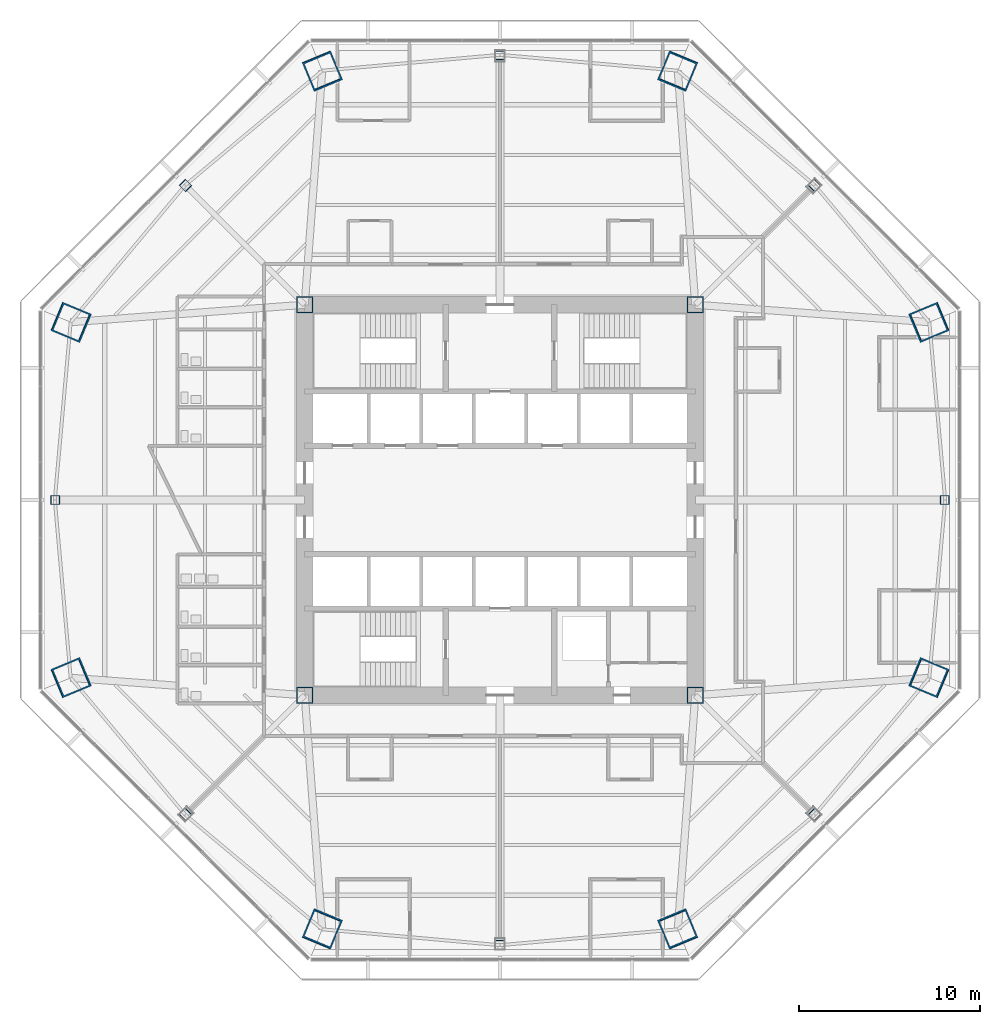
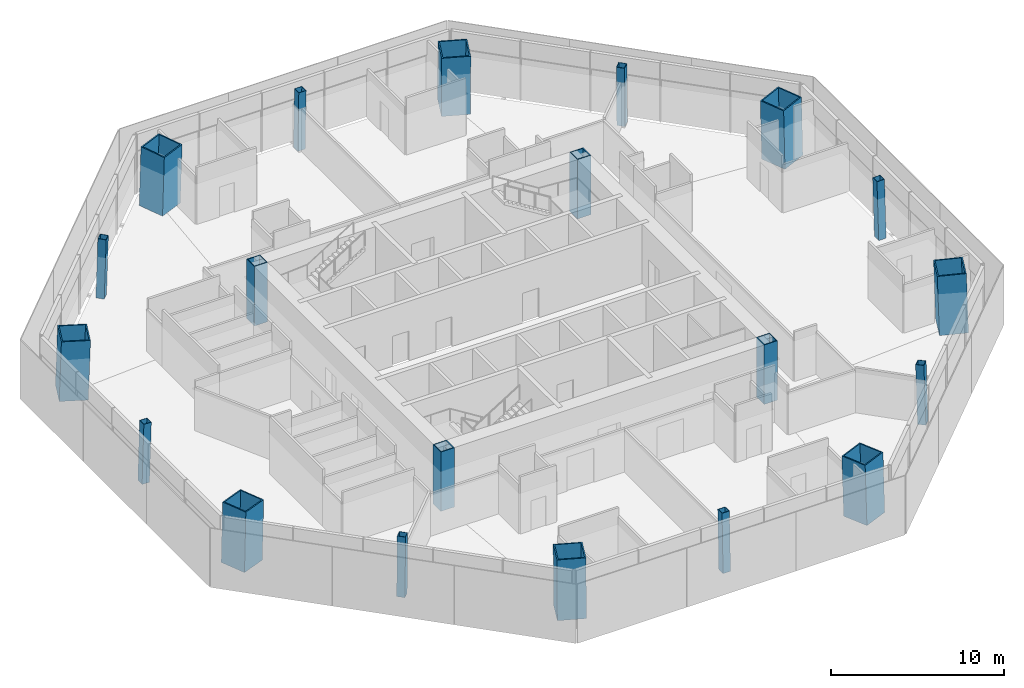
# One storey, part 1 of 17: 20 columns.
"""IFC4 building model written with IfcOpenShell, lengths in metres."""

import ifcopenshell
import ifcopenshell.guid

model = None  # the IFC model being written
_history = None  # IfcOwnerHistory: only IFC2X3 demands one
_inside = {}  # id of a spatial element -> (the spatial element, [elements in it])
_under = {}  # id of a project, library or spatial element -> (it, [spatial elements below it])
_declared = {}  # id of a project -> (the project, [libraries it declares])
_typed = {}  # id of a type object -> (the type object, [elements of that type])
_made_of = {}  # id of a material, layer set ... -> (it, [elements and type objects made of it])


def new_model(schema):
    """Start an empty IFC model of exactly this schema.

    Asked for "IFC4X3", IfcOpenShell would pick the latest addendum, in which some entities
    have other attributes; the version numbers below select the first issue.
    IFC2X3 requires an IfcOwnerHistory on every rooted entity: one is made here for all.
    """
    global model, _history
    if schema == "IFC4X3":
        model = ifcopenshell.file(schema_version=(4, 3, 0, 0))
    else:
        model = ifcopenshell.file(schema=schema)
    _inside.clear()
    _under.clear()
    _declared.clear()
    _typed.clear()
    _made_of.clear()
    _history = None
    if model.schema == "IFC2X3":
        org = make("IfcOrganization", Name="unknown")
        user = make(
            "IfcPersonAndOrganization",
            ThePerson=make("IfcPerson", FamilyName="unknown"),
            TheOrganization=org,
        )
        app = make(
            "IfcApplication",
            ApplicationDeveloper=org,
            Version="unknown",
            ApplicationFullName="unknown",
            ApplicationIdentifier="unknown",
        )
        _history = make(
            "IfcOwnerHistory",
            OwningUser=user,
            OwningApplication=app,
            ChangeAction="ADDED",
            CreationDate=0,
        )
    return model


def make(cls, **values):
    """One entity of the class cls with the attributes given. An attribute that is None is left unset."""
    return model.create_entity(
        cls, **{name: value for name, value in values.items() if value is not None}
    )


def rooted(cls, **values):
    """An entity with a GlobalId (a new one), such as an element, a storey or a relation."""
    return make(cls, GlobalId=ifcopenshell.guid.new(), OwnerHistory=_history, **values)


def si_unit(unit_type, name, prefix=None):
    """IfcSIUnit, for example si_unit("LENGTHUNIT", "METRE", prefix="MILLI")."""
    return make("IfcSIUnit", UnitType=unit_type, Prefix=prefix, Name=name)


def assignment(units):
    """IfcUnitAssignment: the units of a project."""
    return None if units is None else make("IfcUnitAssignment", Units=units)


def point(xyz):
    """IfcCartesianPoint."""
    return None if xyz is None else make("IfcCartesianPoint", Coordinates=xyz)


def direction(xyz):
    """IfcDirection."""
    return None if xyz is None else make("IfcDirection", DirectionRatios=xyz)


def frame(location, z_axis=None, x_axis=None):
    """IfcAxis2Placement3D, a coordinate frame: its origin and axes. An axis left out is left unset."""
    return make(
        "IfcAxis2Placement3D",
        Location=point(location),
        Axis=direction(z_axis),
        RefDirection=direction(x_axis),
    )


def frame_2d(location, x_axis=None):
    """IfcAxis2Placement2D, a coordinate frame in the plane: its origin and x axis."""
    return make(
        "IfcAxis2Placement2D", Location=point(location), RefDirection=direction(x_axis)
    )


def origin():
    """The frame at (0, 0, 0) with its axes left unset."""
    return frame((0.0, 0.0, 0.0))


def origin_2d():
    """The frame at (0, 0) in the plane with its x axis left unset."""
    return frame_2d((0.0, 0.0))


def place(relative_to, where):
    """IfcLocalPlacement: puts the frame where relative to a parent placement (None: the world)."""
    return make(
        "IfcLocalPlacement", PlacementRelTo=relative_to, RelativePlacement=where
    )


def context(
    kind, dimensions, precision=None, world=None, true_north=None, identifier=None
):
    """IfcGeometricRepresentationContext, for example the 3D "Model" context."""
    return make(
        "IfcGeometricRepresentationContext",
        ContextIdentifier=identifier,
        ContextType=kind,
        CoordinateSpaceDimension=dimensions,
        Precision=precision,
        WorldCoordinateSystem=world,
        TrueNorth=true_north,
    )


def subcontext(parent, identifier, kind, view, scale=None):
    """IfcGeometricRepresentationSubContext, for example "Body" below "Model"."""
    return make(
        "IfcGeometricRepresentationSubContext",
        ContextIdentifier=identifier,
        ContextType=kind,
        ParentContext=parent,
        TargetScale=scale,
        TargetView=view,
    )


def project(units=None, contexts=None):
    """IfcProject with its units and contexts."""
    return rooted(
        "IfcProject",
        Name="project",
        RepresentationContexts=contexts,
        UnitsInContext=assignment(units),
    )


def spatial(cls, under=None, at=None, **own):
    """A site, building, storey or space (cls), placed at a placement, below another one or the project."""
    s = rooted(cls, ObjectPlacement=at, **own)
    if under is not None:
        _under.setdefault(under.id(), (under, []))[1].append(s)
    return s


def profile(cls, at=None, kind="AREA", **sizes):
    """A parametric profile (cls). Its sizes go by their IFC names, for example OverallWidth=200.0."""
    return make(cls, ProfileType=kind, Position=at, **sizes)


def hollow_rectangle(**sizes):
    """IfcRectangleHollowProfileDef."""
    return profile("IfcRectangleHollowProfileDef", **sizes)


def extrude(swept, where, along, depth):
    """IfcExtrudedAreaSolid: the profile swept, set in the frame where, extruded along a direction by depth."""
    return make(
        "IfcExtrudedAreaSolid",
        SweptArea=swept,
        Position=where,
        ExtrudedDirection=direction(along),
        Depth=depth,
    )


def shape(context_of_items, identifier, shape_type, items):
    """IfcShapeRepresentation: the items that make up one representation, for example the "Body"."""
    return make(
        "IfcShapeRepresentation",
        ContextOfItems=context_of_items,
        RepresentationIdentifier=identifier,
        RepresentationType=shape_type,
        Items=items,
    )


def material(Name=None, Category=None):
    """IfcMaterial."""
    return make("IfcMaterial", Name=Name, Category=Category)


def material_profile(
    of_material, cross_section, Name=None, Category=None, Priority=None
):
    """IfcMaterialProfile: a cross section and its material."""
    return make(
        "IfcMaterialProfile",
        Name=Name,
        Material=of_material,
        Profile=cross_section,
        Priority=Priority,
        Category=Category,
    )


def profile_set(profiles, Name=None, composite=None):
    """IfcMaterialProfileSet."""
    return make(
        "IfcMaterialProfileSet",
        Name=Name,
        MaterialProfiles=profiles,
        CompositeProfile=composite,
    )


def made_of(thing, what):
    """Note that an element or type object is made of a material, layer set ...; save() writes the relation."""
    if what is not None:
        _made_of.setdefault(what.id(), (what, []))[1].append(thing)
    return thing


def type_object(cls, material=None, **own):
    """A type object (cls), such as IfcWallType, which elements share."""
    return made_of(rooted(cls, **own), material)


def element(
    cls,
    number,
    at=None,
    inside=None,
    cuts=None,
    type_object=None,
    material=None,
    context=None,
    identifier="Body",
    shape_type=None,
    held_by="IfcProductDefinitionShape",
    body=None,
    shapes=None,
    **own,
):
    """One element of the class cls, such as IfcWall. Its Tag is "e" and its number.

    at: its placement. inside: the storey or other place that contains it. cuts: it is an
    opening in that element (IfcRelVoidsElement). A single representation is given by context,
    identifier, shape_type and body (its items); several are given by shapes. held_by: the class
    of the entity that holds the representations. save() writes the other relations.
    """
    e = rooted(cls, Tag="e%d" % number, ObjectPlacement=at, **own)
    if body is not None:
        shapes = [shape(context, identifier, shape_type, body)]
    if shapes is not None:
        e.Representation = make(held_by, Representations=shapes)
    if inside is not None:
        _inside.setdefault(inside.id(), (inside, []))[1].append(e)
    if cuts is not None:
        rooted(
            "IfcRelVoidsElement", RelatingBuildingElement=cuts, RelatedOpeningElement=e
        )
    if type_object is not None:
        _typed.setdefault(type_object.id(), (type_object, []))[1].append(e)
    return made_of(e, material)


def aggregate(whole, parts):
    """IfcRelAggregates: a whole, such as a stair, and the parts it consists of."""
    return rooted("IfcRelAggregates", RelatingObject=whole, RelatedObjects=parts)


def save(model, path):
    """Write the relations noted so far, then the file.

    IfcRelAggregates (storeys below a building ...), IfcRelContainedInSpatialStructure (elements
    in a storey), IfcRelDefinesByType, IfcRelAssociatesMaterial and IfcRelDeclares: one each for
    every whole, place, type object, material and project.
    """
    for whole, parts in _under.values():
        aggregate(whole, parts)
    for where, things in _inside.values():
        rooted(
            "IfcRelContainedInSpatialStructure",
            RelatedElements=things,
            RelatingStructure=where,
        )
    for kind, things in _typed.values():
        rooted("IfcRelDefinesByType", RelatedObjects=things, RelatingType=kind)
    for what, things in _made_of.values():
        rooted("IfcRelAssociatesMaterial", RelatedObjects=things, RelatingMaterial=what)
    for by, libraries in _declared.values():
        rooted("IfcRelDeclares", RelatingContext=by, RelatedDefinitions=libraries)
    model.write(path)


model = new_model("IFC4")

# Units and contexts
model_context = context("Model", 3, precision=1e-05, world=origin(), true_north=direction((0.0, 1.0)))
body_context = subcontext(model_context, "Body", "Model", "MODEL_VIEW")
ifc_project = project(units=[si_unit("LENGTHUNIT", "METRE"), si_unit("AREAUNIT", "SQUARE_METRE"), si_unit("VOLUMEUNIT", "CUBIC_METRE"), si_unit("PLANEANGLEUNIT", "RADIAN"), si_unit("MASSUNIT", "GRAM", prefix="KILO")], contexts=[model_context])

# Site, building, storey
site_placement = place(None, origin())
site = spatial("IfcSite", under=ifc_project, at=site_placement, CompositionType="ELEMENT")
building_placement = place(site_placement, origin())
building = spatial("IfcBuilding", under=site, at=building_placement, Name="Mashrafa Tower", CompositionType="ELEMENT")
storey_placement = place(building_placement, frame((0.0, 0.0, 91.800048828125)))
storey = spatial("IfcBuildingStorey", under=building, at=storey_placement, Name="L20", CompositionType="ELEMENT", Elevation=91.800048828125)

# Columns
ifc_material_1 = material(Name="Steel ASTM A572 Gr 50", Category="steel")
ifc_material_profile_1 = material_profile(ifc_material_1, hollow_rectangle(XDim=0.89990234375, YDim=0.89990234375, WallThickness=0.06005859375, at=origin_2d()), Name="BOX900X900X60")
ifc_profile_set_1 = profile_set([ifc_material_profile_1], Name="Steel ASTM A572 Gr 50")
column_type_1 = type_object("IfcColumnType", Name="Core corner column BOX900X900X60", PredefinedType="COLUMN", material=ifc_profile_set_1)
for number, where, z_axis, x_axis, name in (
    (1, (10.800048828125, 10.800048828125, 0.0), (0.0, 0.0, 1.0), (1.0, 0.0, 0.0), "Core corner column CC-NE L20"),
    (2, (-10.800048828125, 10.800048828125, 0.0), (0.0, 0.0, 1.0), (1.0, 0.0, 0.0), "Core corner column CC-NW L20"),
    (3, (-10.800048828125, -10.800048828125, 0.0), (0.0, 0.0, 1.0), (1.0, 0.0, 0.0), "Core corner column CC-SW L20"),
    (4, (10.800048828125, -10.800048828125, 0.0), (0.0, 0.0, 1.0), (1.0, 0.0, 0.0), "Core corner column CC-SE L20"),
):
    element("IfcColumn", number, at=place(storey_placement, frame(where, z_axis=z_axis, x_axis=x_axis)), inside=storey, type_object=column_type_1, Name=name, PredefinedType="COLUMN", context=body_context, shape_type="SweptSolid", body=[
        extrude(hollow_rectangle(XDim=0.89990234375, YDim=0.89990234375, WallThickness=0.06005859375, at=origin_2d()), origin(), (0.0, 0.0, 1.0), 4.199951171875),
    ])
ifc_material_2 = material(Name="Steel ASTM A572 Gr 50", Category="steel")
ifc_material_profile_2 = material_profile(ifc_material_2, hollow_rectangle(XDim=1.699951171875, YDim=1.699951171875, WallThickness=0.080078125, at=origin_2d()), Name="BOX1700X1700X80")
ifc_profile_set_2 = profile_set([ifc_material_profile_2], Name="Steel ASTM A572 Gr 50")
column_type_2 = type_object("IfcColumnType", Name="Mega column CFST BOX1700X1700X80", PredefinedType="COLUMN", material=ifc_profile_set_2)
for number, where, z_axis, x_axis, name in (
    (5, (23.739501953125, 9.833251953125, 0.0), (-0.028237674468, -0.01173664659, 0.999532333078), (0.38380575713, -0.923413851312, 0.0), "Mega column MC1 L20"),
    (6, (9.833251953125, 23.739501953125, 0.0), (-0.01173664659, -0.028237674468, 0.999532333078), (0.923413851312, -0.38380575713, 0.0), "Mega column MC2 L20"),
    (7, (-9.833251953125, 23.739501953125, 0.0), (0.01173664659, -0.028237674468, 0.999532333078), (0.923413851312, 0.38380575713, 0.0), "Mega column MC3 L20"),
    (8, (-23.739501953125, 9.833251953125, 0.0), (0.028237674468, -0.01173664659, 0.999532333078), (0.38380575713, 0.923413851312, 0.0), "Mega column MC4 L20"),
    (9, (-23.739501953125, -9.833251953125, 0.0), (0.028237674468, 0.01173664659, 0.999532333078), (-0.38380575713, 0.923413851312, 0.0), "Mega column MC5 L20"),
    (10, (-9.833251953125, -23.739501953125, 0.0), (0.01173664659, 0.028237674468, 0.999532333078), (-0.923413851312, 0.38380575713, 0.0), "Mega column MC6 L20"),
    (11, (9.833251953125, -23.739501953125, 0.0), (-0.01173664659, 0.028237674468, 0.999532333078), (-0.923413851312, -0.38380575713, 0.0), "Mega column MC7 L20"),
    (12, (23.739501953125, -9.833251953125, 0.0), (-0.028237674468, 0.01173664659, 0.999532333078), (-0.38380575713, -0.923413851312, 0.0), "Mega column MC8 L20"),
):
    element("IfcColumn", number, at=place(storey_placement, frame(where, z_axis=z_axis, x_axis=x_axis)), inside=storey, type_object=column_type_2, Name=name, PredefinedType="COLUMN", context=body_context, shape_type="SweptSolid", body=[
        extrude(hollow_rectangle(XDim=1.699951171875, YDim=1.699951171875, WallThickness=0.080078125, at=origin_2d()), origin(), (0.0, 0.0, 1.0), 4.201904296875),
    ])
ifc_material_3 = material(Name="Steel ASTM A572 Gr 50", Category="steel")
ifc_material_profile_3 = material_profile(ifc_material_3, hollow_rectangle(XDim=0.5, YDim=0.5, WallThickness=0.02490234375, at=origin_2d()), Name="BOX500X500X25")
ifc_profile_set_3 = profile_set([ifc_material_profile_3], Name="Steel ASTM A572 Gr 50")
column_type_3 = type_object("IfcColumnType", Name="Secondary column BOX500X500X25", PredefinedType="COLUMN", material=ifc_profile_set_3)
for number, where, z_axis, x_axis, name in (
    (13, (24.617919921875, 0.0, 0.0), (-0.028297679255, 0.0, 0.99959954049), (0.0, -1.0, 0.0), "Secondary column SC1 L20"),
    (14, (17.407470703125, 17.407470703125, 0.0), (-0.019988521213, -0.019988521213, 0.999600379171), (0.707106781187, -0.707106781187, 0.0), "Secondary column SC2 L20"),
    (15, (0.0, 24.617919921875, 0.0), (0.0, -0.028297679255, 0.99959954049), (1.0, 0.0, 0.0), "Secondary column SC3 L20"),
    (16, (-17.407470703125, 17.407470703125, 0.0), (0.019988521213, -0.019988521213, 0.999600379171), (0.707106781187, 0.707106781187, 0.0), "Secondary column SC4 L20"),
    (17, (-24.617919921875, 0.0, 0.0), (0.028297679255, 0.0, 0.99959954049), (0.0, 1.0, 0.0), "Secondary column SC5 L20"),
    (18, (-17.407470703125, -17.407470703125, 0.0), (0.019988521213, 0.019988521213, 0.999600379171), (-0.707106781187, 0.707106781187, 0.0), "Secondary column SC6 L20"),
    (19, (0.0, -24.617919921875, 0.0), (0.0, 0.028297679255, 0.99959954049), (-1.0, 0.0, 0.0), "Secondary column SC7 L20"),
    (20, (17.407470703125, -17.407470703125, 0.0), (-0.019988521213, 0.019988521213, 0.999600379171), (-0.707106781187, -0.707106781187, 0.0), "Secondary column SC8 L20"),
):
    element("IfcColumn", number, at=place(storey_placement, frame(where, z_axis=z_axis, x_axis=x_axis)), inside=storey, type_object=column_type_3, Name=name, PredefinedType="COLUMN", context=body_context, shape_type="SweptSolid", body=[
        extrude(hollow_rectangle(XDim=0.5, YDim=0.5, WallThickness=0.02490234375, at=origin_2d()), origin(), (0.0, 0.0, 1.0), 4.20166015625),
    ])

save(model, "model.ifc")
